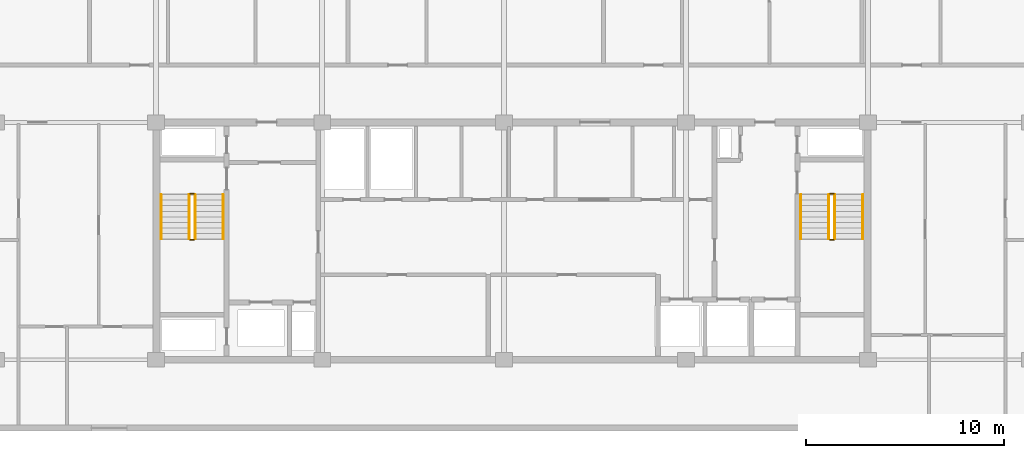
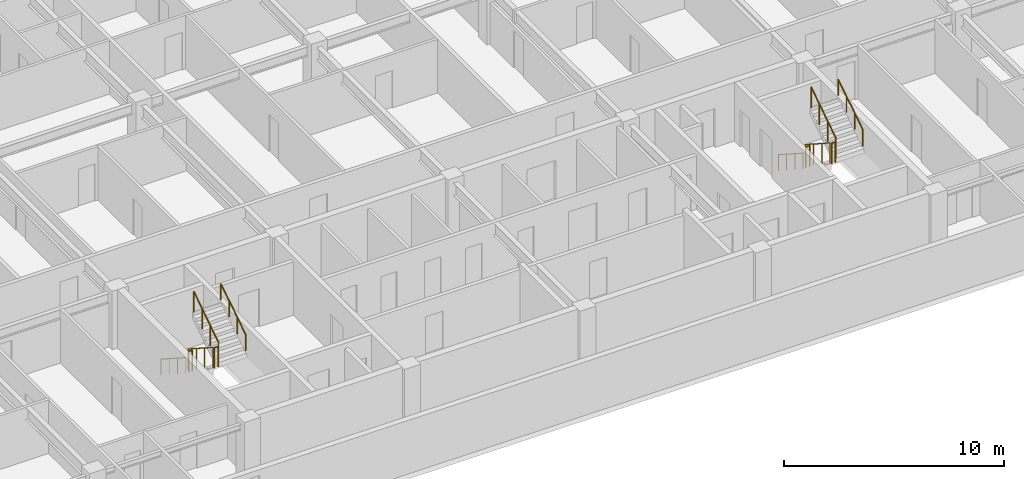
# One storey, part 10 of 11: 12 railings.
"""IFC4 building model written with IfcOpenShell, lengths in metres."""

import ifcopenshell
import ifcopenshell.guid

model = None  # the IFC model being written
_history = None  # IfcOwnerHistory: only IFC2X3 demands one
_inside = {}  # id of a spatial element -> (the spatial element, [elements in it])
_under = {}  # id of a project, library or spatial element -> (it, [spatial elements below it])
_declared = {}  # id of a project -> (the project, [libraries it declares])
_typed = {}  # id of a type object -> (the type object, [elements of that type])
_made_of = {}  # id of a material, layer set ... -> (it, [elements and type objects made of it])


def new_model(schema):
    """Start an empty IFC model of exactly this schema.

    Asked for "IFC4X3", IfcOpenShell would pick the latest addendum, in which some entities
    have other attributes; the version numbers below select the first issue.
    IFC2X3 requires an IfcOwnerHistory on every rooted entity: one is made here for all.
    """
    global model, _history
    if schema == "IFC4X3":
        model = ifcopenshell.file(schema_version=(4, 3, 0, 0))
    else:
        model = ifcopenshell.file(schema=schema)
    _inside.clear()
    _under.clear()
    _declared.clear()
    _typed.clear()
    _made_of.clear()
    _history = None
    if model.schema == "IFC2X3":
        org = make("IfcOrganization", Name="unknown")
        user = make(
            "IfcPersonAndOrganization",
            ThePerson=make("IfcPerson", FamilyName="unknown"),
            TheOrganization=org,
        )
        app = make(
            "IfcApplication",
            ApplicationDeveloper=org,
            Version="unknown",
            ApplicationFullName="unknown",
            ApplicationIdentifier="unknown",
        )
        _history = make(
            "IfcOwnerHistory",
            OwningUser=user,
            OwningApplication=app,
            ChangeAction="ADDED",
            CreationDate=0,
        )
    return model


def make(cls, **values):
    """One entity of the class cls with the attributes given. An attribute that is None is left unset."""
    return model.create_entity(
        cls, **{name: value for name, value in values.items() if value is not None}
    )


def rooted(cls, **values):
    """An entity with a GlobalId (a new one), such as an element, a storey or a relation."""
    return make(cls, GlobalId=ifcopenshell.guid.new(), OwnerHistory=_history, **values)


def si_unit(unit_type, name, prefix=None):
    """IfcSIUnit, for example si_unit("LENGTHUNIT", "METRE", prefix="MILLI")."""
    return make("IfcSIUnit", UnitType=unit_type, Prefix=prefix, Name=name)


def assignment(units):
    """IfcUnitAssignment: the units of a project."""
    return None if units is None else make("IfcUnitAssignment", Units=units)


def point(xyz):
    """IfcCartesianPoint."""
    return None if xyz is None else make("IfcCartesianPoint", Coordinates=xyz)


def direction(xyz):
    """IfcDirection."""
    return None if xyz is None else make("IfcDirection", DirectionRatios=xyz)


def frame(location, z_axis=None, x_axis=None):
    """IfcAxis2Placement3D, a coordinate frame: its origin and axes. An axis left out is left unset."""
    return make(
        "IfcAxis2Placement3D",
        Location=point(location),
        Axis=direction(z_axis),
        RefDirection=direction(x_axis),
    )


def frame_2d(location, x_axis=None):
    """IfcAxis2Placement2D, a coordinate frame in the plane: its origin and x axis."""
    return make(
        "IfcAxis2Placement2D", Location=point(location), RefDirection=direction(x_axis)
    )


def origin():
    """The frame at (0, 0, 0) with its axes left unset."""
    return frame((0.0, 0.0, 0.0))


def origin_2d():
    """The frame at (0, 0) in the plane with its x axis left unset."""
    return frame_2d((0.0, 0.0))


def place(relative_to, where):
    """IfcLocalPlacement: puts the frame where relative to a parent placement (None: the world)."""
    return make(
        "IfcLocalPlacement", PlacementRelTo=relative_to, RelativePlacement=where
    )


def context(
    kind, dimensions, precision=None, world=None, true_north=None, identifier=None
):
    """IfcGeometricRepresentationContext, for example the 3D "Model" context."""
    return make(
        "IfcGeometricRepresentationContext",
        ContextIdentifier=identifier,
        ContextType=kind,
        CoordinateSpaceDimension=dimensions,
        Precision=precision,
        WorldCoordinateSystem=world,
        TrueNorth=true_north,
    )


def subcontext(parent, identifier, kind, view, scale=None):
    """IfcGeometricRepresentationSubContext, for example "Body" below "Model"."""
    return make(
        "IfcGeometricRepresentationSubContext",
        ContextIdentifier=identifier,
        ContextType=kind,
        ParentContext=parent,
        TargetScale=scale,
        TargetView=view,
    )


def project(units=None, contexts=None):
    """IfcProject with its units and contexts."""
    return rooted(
        "IfcProject",
        Name="project",
        RepresentationContexts=contexts,
        UnitsInContext=assignment(units),
    )


def spatial(cls, under=None, at=None, **own):
    """A site, building, storey or space (cls), placed at a placement, below another one or the project."""
    s = rooted(cls, ObjectPlacement=at, **own)
    if under is not None:
        _under.setdefault(under.id(), (under, []))[1].append(s)
    return s


def profile(cls, at=None, kind="AREA", **sizes):
    """A parametric profile (cls). Its sizes go by their IFC names, for example OverallWidth=200.0."""
    return make(cls, ProfileType=kind, Position=at, **sizes)


def circle(**sizes):
    """IfcCircleProfileDef."""
    return profile("IfcCircleProfileDef", **sizes)


def extrude(swept, where, along, depth):
    """IfcExtrudedAreaSolid: the profile swept, set in the frame where, extruded along a direction by depth."""
    return make(
        "IfcExtrudedAreaSolid",
        SweptArea=swept,
        Position=where,
        ExtrudedDirection=direction(along),
        Depth=depth,
    )


def shape(context_of_items, identifier, shape_type, items):
    """IfcShapeRepresentation: the items that make up one representation, for example the "Body"."""
    return make(
        "IfcShapeRepresentation",
        ContextOfItems=context_of_items,
        RepresentationIdentifier=identifier,
        RepresentationType=shape_type,
        Items=items,
    )


def material(Name=None, Category=None):
    """IfcMaterial."""
    return make("IfcMaterial", Name=Name, Category=Category)


def made_of(thing, what):
    """Note that an element or type object is made of a material, layer set ...; save() writes the relation."""
    if what is not None:
        _made_of.setdefault(what.id(), (what, []))[1].append(thing)
    return thing


def type_object(cls, material=None, **own):
    """A type object (cls), such as IfcWallType, which elements share."""
    return made_of(rooted(cls, **own), material)


def element(
    cls,
    number,
    at=None,
    inside=None,
    cuts=None,
    type_object=None,
    material=None,
    context=None,
    identifier="Body",
    shape_type=None,
    held_by="IfcProductDefinitionShape",
    body=None,
    shapes=None,
    **own,
):
    """One element of the class cls, such as IfcWall. Its Tag is "e" and its number.

    at: its placement. inside: the storey or other place that contains it. cuts: it is an
    opening in that element (IfcRelVoidsElement). A single representation is given by context,
    identifier, shape_type and body (its items); several are given by shapes. held_by: the class
    of the entity that holds the representations. save() writes the other relations.
    """
    e = rooted(cls, Tag="e%d" % number, ObjectPlacement=at, **own)
    if body is not None:
        shapes = [shape(context, identifier, shape_type, body)]
    if shapes is not None:
        e.Representation = make(held_by, Representations=shapes)
    if inside is not None:
        _inside.setdefault(inside.id(), (inside, []))[1].append(e)
    if cuts is not None:
        rooted(
            "IfcRelVoidsElement", RelatingBuildingElement=cuts, RelatedOpeningElement=e
        )
    if type_object is not None:
        _typed.setdefault(type_object.id(), (type_object, []))[1].append(e)
    return made_of(e, material)


def aggregate(whole, parts):
    """IfcRelAggregates: a whole, such as a stair, and the parts it consists of."""
    return rooted("IfcRelAggregates", RelatingObject=whole, RelatedObjects=parts)


def save(model, path):
    """Write the relations noted so far, then the file.

    IfcRelAggregates (storeys below a building ...), IfcRelContainedInSpatialStructure (elements
    in a storey), IfcRelDefinesByType, IfcRelAssociatesMaterial and IfcRelDeclares: one each for
    every whole, place, type object, material and project.
    """
    for whole, parts in _under.values():
        aggregate(whole, parts)
    for where, things in _inside.values():
        rooted(
            "IfcRelContainedInSpatialStructure",
            RelatedElements=things,
            RelatingStructure=where,
        )
    for kind, things in _typed.values():
        rooted("IfcRelDefinesByType", RelatedObjects=things, RelatingType=kind)
    for what, things in _made_of.values():
        rooted("IfcRelAssociatesMaterial", RelatedObjects=things, RelatingMaterial=what)
    for by, libraries in _declared.values():
        rooted("IfcRelDeclares", RelatingContext=by, RelatedDefinitions=libraries)
    model.write(path)


model = new_model("IFC4")

# Units and contexts
model_context = context("Model", 3, precision=1e-05, world=origin(), true_north=direction((0.0, 1.0)))
body_context = subcontext(model_context, "Body", "Model", "MODEL_VIEW")
ifc_project = project(units=[si_unit("LENGTHUNIT", "METRE"), si_unit("AREAUNIT", "SQUARE_METRE"), si_unit("VOLUMEUNIT", "CUBIC_METRE"), si_unit("PLANEANGLEUNIT", "RADIAN"), si_unit("MASSUNIT", "GRAM", prefix="KILO")], contexts=[model_context])

# Site, building, storey
site_placement = place(None, origin())
site = spatial("IfcSite", under=ifc_project, at=site_placement, CompositionType="ELEMENT")
building_placement = place(site_placement, origin())
building = spatial("IfcBuilding", under=site, at=building_placement, Name="Korimba Cascade Residences", CompositionType="ELEMENT")
storey_placement = place(building_placement, frame((0.0, 0.0, 210.85009765625)))
storey = spatial("IfcBuildingStorey", under=building, at=storey_placement, Name="L61", CompositionType="ELEMENT", Elevation=210.85009765625)

# Railings
ifc_material_1 = material(Name="Painted Steel Stairwell Guardrail", Category="steel")
railing_type_1 = type_object("IfcRailingType", Name="RLG-ST-GD1150", PredefinedType="GUARDRAIL", material=ifc_material_1)
railing_1_placement = place(storey_placement, frame((77.77001953125, 63.550048828125, 0.180419921875)))
element("IfcRailing", 1, at=railing_1_placement, inside=storey, type_object=railing_type_1, Name="L61 ST-W1 stair guard 1", PredefinedType="GUARDRAIL", context=body_context, shape_type="SweptSolid", body=[
    extrude(circle(Radius=0.02392578125, at=origin_2d()), frame((0.0, 0.0, 1.1259765625), z_axis=(0.0, -0.840394893359, 0.541974559565), x_axis=(1.0, 0.0, 0.0)), (0.0, 0.0, 1.0), 2.665283203125),
    extrude(circle(Radius=0.02099609375, at=origin_2d()), origin(), (0.0, 0.0, 1.0), 1.101806640625),
    extrude(circle(Radius=0.02099609375, at=origin_2d()), frame((0.0, -0.74658203125, 0.4814453125)), (0.0, 0.0, 1.0), 1.101806640625),
    extrude(circle(Radius=0.02099609375, at=origin_2d()), frame((0.0, -1.493408203125, 0.963134765625)), (0.0, 0.0, 1.0), 1.101806640625),
    extrude(circle(Radius=0.02099609375, at=origin_2d()), frame((0.0, -2.239990234375, 1.444580078125)), (0.0, 0.0, 1.0), 1.101806640625),
])
railing_2_placement = place(storey_placement, frame((77.820068359375, 61.260009765625, 1.625)))
element("IfcRailing", 2, at=railing_2_placement, inside=storey, type_object=railing_type_1, Name="L61 ST-W1 stair guard 2", PredefinedType="GUARDRAIL", context=body_context, shape_type="SweptSolid", body=[
    extrude(circle(Radius=0.02392578125, at=origin_2d()), frame((0.0, 0.0, 1.1259765625), z_axis=(1.0, 0.0, 0.0), x_axis=(0.0, 1.0, 0.0)), (0.0, 0.0, 1.0), 0.199951171875),
    extrude(circle(Radius=0.02099609375, at=origin_2d()), origin(), (0.0, 0.0, 1.0), 1.101806640625),
    extrude(circle(Radius=0.02099609375, at=origin_2d()), frame((0.199951171875, 0.0, 0.0)), (0.0, 0.0, 1.0), 1.101806640625),
])
railing_3_placement = place(storey_placement, frame((78.070068359375, 61.31005859375, 1.805419921875)))
element("IfcRailing", 3, at=railing_3_placement, inside=storey, type_object=railing_type_1, Name="L61 ST-W1 stair guard 3", PredefinedType="GUARDRAIL", context=body_context, shape_type="SweptSolid", body=[
    extrude(circle(Radius=0.02392578125, at=origin_2d()), frame((0.0, 0.0, 1.1259765625), z_axis=(0.0, 0.840394893359, 0.541974559565), x_axis=(-1.0, 0.0, 0.0)), (0.0, 0.0, 1.0), 2.665283203125),
    extrude(circle(Radius=0.02099609375, at=origin_2d()), origin(), (0.0, 0.0, 1.0), 1.101806640625),
    extrude(circle(Radius=0.02099609375, at=origin_2d()), frame((0.0, 0.74658203125, 0.4814453125)), (0.0, 0.0, 1.0), 1.101806640625),
    extrude(circle(Radius=0.02099609375, at=origin_2d()), frame((0.0, 1.493408203125, 0.963134765625)), (0.0, 0.0, 1.0), 1.101806640625),
    extrude(circle(Radius=0.02099609375, at=origin_2d()), frame((0.0, 2.239990234375, 1.444580078125)), (0.0, 0.0, 1.0), 1.101806640625),
])
railing_4_placement = place(storey_placement, frame((77.820068359375, 63.60009765625, 0.0)))
element("IfcRailing", 4, at=railing_4_placement, inside=storey, type_object=railing_type_1, Name="L61 ST-W1 stair guard 4", PredefinedType="GUARDRAIL", context=body_context, shape_type="SweptSolid", body=[
    extrude(circle(Radius=0.02392578125, at=origin_2d()), frame((0.0, 0.0, 1.1259765625), z_axis=(1.0, 0.0, 0.0), x_axis=(0.0, 1.0, 0.0)), (0.0, 0.0, 1.0), 0.199951171875),
    extrude(circle(Radius=0.02099609375, at=origin_2d()), origin(), (0.0, 0.0, 1.0), 1.101806640625),
    extrude(circle(Radius=0.02099609375, at=origin_2d()), frame((0.199951171875, 0.0, 0.0)), (0.0, 0.0, 1.0), 1.101806640625),
])
railing_5_placement = place(storey_placement, frame((110.1298828125, 63.550048828125, 0.180419921875)))
element("IfcRailing", 5, at=railing_5_placement, inside=storey, type_object=railing_type_1, Name="L61 ST-W2 stair guard 1", PredefinedType="GUARDRAIL", context=body_context, shape_type="SweptSolid", body=[
    extrude(circle(Radius=0.02392578125, at=origin_2d()), frame((0.0, 0.0, 1.1259765625), z_axis=(0.0, -0.840394893359, 0.541974559565), x_axis=(1.0, 0.0, 0.0)), (0.0, 0.0, 1.0), 2.665283203125),
    extrude(circle(Radius=0.02099609375, at=origin_2d()), origin(), (0.0, 0.0, 1.0), 1.101806640625),
    extrude(circle(Radius=0.02099609375, at=origin_2d()), frame((0.0, -0.74658203125, 0.4814453125)), (0.0, 0.0, 1.0), 1.101806640625),
    extrude(circle(Radius=0.02099609375, at=origin_2d()), frame((0.0, -1.493408203125, 0.963134765625)), (0.0, 0.0, 1.0), 1.101806640625),
    extrude(circle(Radius=0.02099609375, at=origin_2d()), frame((0.0, -2.239990234375, 1.444580078125)), (0.0, 0.0, 1.0), 1.101806640625),
])
railing_6_placement = place(storey_placement, frame((110.179931640625, 61.260009765625, 1.625)))
element("IfcRailing", 6, at=railing_6_placement, inside=storey, type_object=railing_type_1, Name="L61 ST-W2 stair guard 2", PredefinedType="GUARDRAIL", context=body_context, shape_type="SweptSolid", body=[
    extrude(circle(Radius=0.02392578125, at=origin_2d()), frame((0.0, 0.0, 1.1259765625), z_axis=(1.0, 0.0, 0.0), x_axis=(0.0, 1.0, 0.0)), (0.0, 0.0, 1.0), 0.199951171875),
    extrude(circle(Radius=0.02099609375, at=origin_2d()), origin(), (0.0, 0.0, 1.0), 1.101806640625),
    extrude(circle(Radius=0.02099609375, at=origin_2d()), frame((0.199951171875, 0.0, 0.0)), (0.0, 0.0, 1.0), 1.101806640625),
])
railing_7_placement = place(storey_placement, frame((110.429931640625, 61.31005859375, 1.805419921875)))
element("IfcRailing", 7, at=railing_7_placement, inside=storey, type_object=railing_type_1, Name="L61 ST-W2 stair guard 3", PredefinedType="GUARDRAIL", context=body_context, shape_type="SweptSolid", body=[
    extrude(circle(Radius=0.02392578125, at=origin_2d()), frame((0.0, 0.0, 1.1259765625), z_axis=(0.0, 0.840394893359, 0.541974559565), x_axis=(-1.0, 0.0, 0.0)), (0.0, 0.0, 1.0), 2.665283203125),
    extrude(circle(Radius=0.02099609375, at=origin_2d()), origin(), (0.0, 0.0, 1.0), 1.101806640625),
    extrude(circle(Radius=0.02099609375, at=origin_2d()), frame((0.0, 0.74658203125, 0.4814453125)), (0.0, 0.0, 1.0), 1.101806640625),
    extrude(circle(Radius=0.02099609375, at=origin_2d()), frame((0.0, 1.493408203125, 0.963134765625)), (0.0, 0.0, 1.0), 1.101806640625),
    extrude(circle(Radius=0.02099609375, at=origin_2d()), frame((0.0, 2.239990234375, 1.444580078125)), (0.0, 0.0, 1.0), 1.101806640625),
])
railing_8_placement = place(storey_placement, frame((110.179931640625, 63.60009765625, 0.0)))
element("IfcRailing", 8, at=railing_8_placement, inside=storey, type_object=railing_type_1, Name="L61 ST-W2 stair guard 4", PredefinedType="GUARDRAIL", context=body_context, shape_type="SweptSolid", body=[
    extrude(circle(Radius=0.02392578125, at=origin_2d()), frame((0.0, 0.0, 1.1259765625), z_axis=(1.0, 0.0, 0.0), x_axis=(0.0, 1.0, 0.0)), (0.0, 0.0, 1.0), 0.199951171875),
    extrude(circle(Radius=0.02099609375, at=origin_2d()), origin(), (0.0, 0.0, 1.0), 1.101806640625),
    extrude(circle(Radius=0.02099609375, at=origin_2d()), frame((0.199951171875, 0.0, 0.0)), (0.0, 0.0, 1.0), 1.101806640625),
])
ifc_material_2 = material(Name="Brushed Stainless Steel Handrail", Category="steel")
railing_type_2 = type_object("IfcRailingType", Name="RLG-ST-HR900", PredefinedType="HANDRAIL", material=ifc_material_2)
railing_9_placement = place(storey_placement, frame((76.35009765625, 63.550048828125, 0.36474609375)))
element("IfcRailing", 9, at=railing_9_placement, inside=storey, type_object=railing_type_2, Name="L61 ST-W1 stair handrail 1", PredefinedType="HANDRAIL", context=body_context, shape_type="SweptSolid", body=[
    extrude(circle(Radius=0.02392578125, at=origin_2d()), frame((0.0, 0.0, 0.8759765625), z_axis=(0.0, -0.840394893359, 0.541974559565), x_axis=(1.0, 0.0, 0.0)), (0.0, 0.0, 1.0), 2.665283203125),
    extrude(circle(Radius=0.02099609375, at=origin_2d()), origin(), (0.0, 0.0, 1.0), 0.851806640625),
    extrude(circle(Radius=0.02099609375, at=origin_2d()), frame((0.0, -0.74658203125, 0.4814453125)), (0.0, 0.0, 1.0), 0.851806640625),
    extrude(circle(Radius=0.02099609375, at=origin_2d()), frame((0.0, -1.493408203125, 0.963134765625)), (0.0, 0.0, 1.0), 0.851806640625),
    extrude(circle(Radius=0.02099609375, at=origin_2d()), frame((0.0, -2.239990234375, 1.444580078125)), (0.0, 0.0, 1.0), 0.851806640625),
])
railing_10_placement = place(storey_placement, frame((79.489990234375, 61.31005859375, 1.98974609375)))
element("IfcRailing", 10, at=railing_10_placement, inside=storey, type_object=railing_type_2, Name="L61 ST-W1 stair handrail 2", PredefinedType="HANDRAIL", context=body_context, shape_type="SweptSolid", body=[
    extrude(circle(Radius=0.02392578125, at=origin_2d()), frame((0.0, 0.0, 0.8759765625), z_axis=(0.0, 0.840394893359, 0.541974559565), x_axis=(-1.0, 0.0, 0.0)), (0.0, 0.0, 1.0), 2.665283203125),
    extrude(circle(Radius=0.02099609375, at=origin_2d()), origin(), (0.0, 0.0, 1.0), 0.851806640625),
    extrude(circle(Radius=0.02099609375, at=origin_2d()), frame((0.0, 0.74658203125, 0.4814453125)), (0.0, 0.0, 1.0), 0.851806640625),
    extrude(circle(Radius=0.02099609375, at=origin_2d()), frame((0.0, 1.493408203125, 0.963134765625)), (0.0, 0.0, 1.0), 0.851806640625),
    extrude(circle(Radius=0.02099609375, at=origin_2d()), frame((0.0, 2.239990234375, 1.444580078125)), (0.0, 0.0, 1.0), 0.851806640625),
])
railing_11_placement = place(storey_placement, frame((108.7099609375, 63.550048828125, 0.36474609375)))
element("IfcRailing", 11, at=railing_11_placement, inside=storey, type_object=railing_type_2, Name="L61 ST-W2 stair handrail 1", PredefinedType="HANDRAIL", context=body_context, shape_type="SweptSolid", body=[
    extrude(circle(Radius=0.02392578125, at=origin_2d()), frame((0.0, 0.0, 0.8759765625), z_axis=(0.0, -0.840394893359, 0.541974559565), x_axis=(1.0, 0.0, 0.0)), (0.0, 0.0, 1.0), 2.665283203125),
    extrude(circle(Radius=0.02099609375, at=origin_2d()), origin(), (0.0, 0.0, 1.0), 0.851806640625),
    extrude(circle(Radius=0.02099609375, at=origin_2d()), frame((0.0, -0.74658203125, 0.4814453125)), (0.0, 0.0, 1.0), 0.851806640625),
    extrude(circle(Radius=0.02099609375, at=origin_2d()), frame((0.0, -1.493408203125, 0.963134765625)), (0.0, 0.0, 1.0), 0.851806640625),
    extrude(circle(Radius=0.02099609375, at=origin_2d()), frame((0.0, -2.239990234375, 1.444580078125)), (0.0, 0.0, 1.0), 0.851806640625),
])
railing_12_placement = place(storey_placement, frame((111.85009765625, 61.31005859375, 1.98974609375)))
element("IfcRailing", 12, at=railing_12_placement, inside=storey, type_object=railing_type_2, Name="L61 ST-W2 stair handrail 2", PredefinedType="HANDRAIL", context=body_context, shape_type="SweptSolid", body=[
    extrude(circle(Radius=0.02392578125, at=origin_2d()), frame((0.0, 0.0, 0.8759765625), z_axis=(0.0, 0.840394893359, 0.541974559565), x_axis=(-1.0, 0.0, 0.0)), (0.0, 0.0, 1.0), 2.665283203125),
    extrude(circle(Radius=0.02099609375, at=origin_2d()), origin(), (0.0, 0.0, 1.0), 0.851806640625),
    extrude(circle(Radius=0.02099609375, at=origin_2d()), frame((0.0, 0.74658203125, 0.4814453125)), (0.0, 0.0, 1.0), 0.851806640625),
    extrude(circle(Radius=0.02099609375, at=origin_2d()), frame((0.0, 1.493408203125, 0.963134765625)), (0.0, 0.0, 1.0), 0.851806640625),
    extrude(circle(Radius=0.02099609375, at=origin_2d()), frame((0.0, 2.239990234375, 1.444580078125)), (0.0, 0.0, 1.0), 0.851806640625),
])

save(model, "model.ifc")
